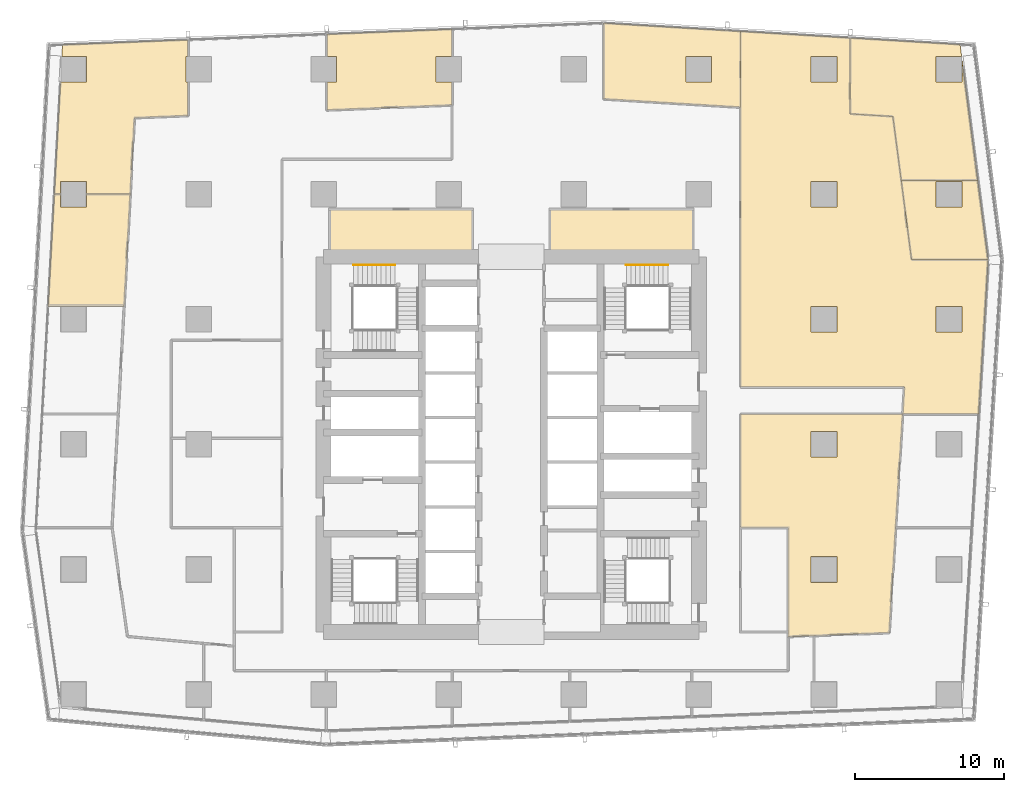
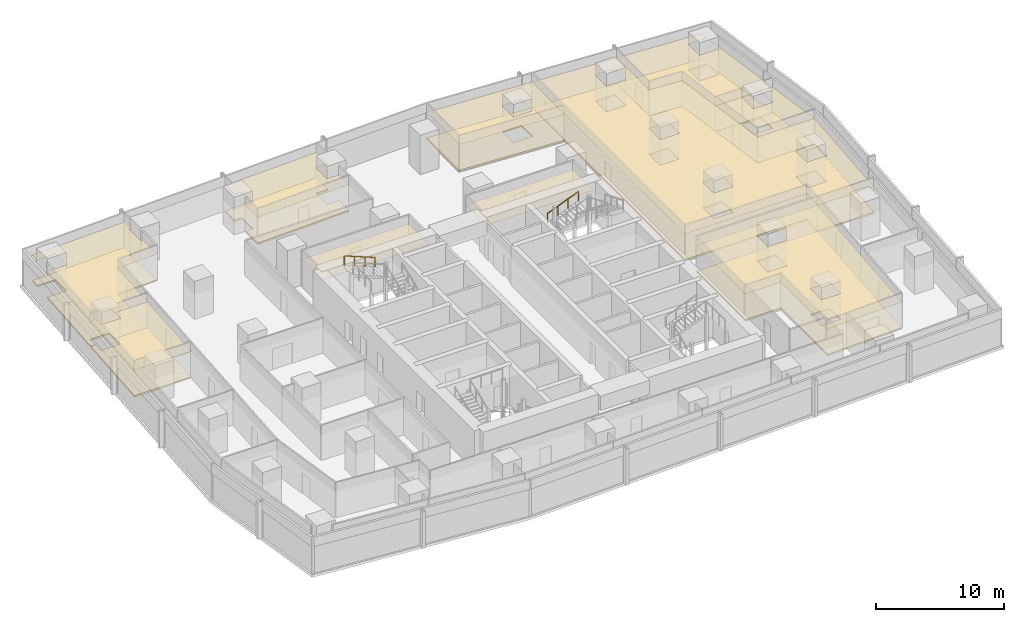
# One storey, part 40 of 40: 16 coverings, 2 railings.
"""IFC4 building model written with IfcOpenShell, lengths in metres."""

import ifcopenshell
import ifcopenshell.guid

model = None  # the IFC model being written
_history = None  # IfcOwnerHistory: only IFC2X3 demands one
_inside = {}  # id of a spatial element -> (the spatial element, [elements in it])
_under = {}  # id of a project, library or spatial element -> (it, [spatial elements below it])
_declared = {}  # id of a project -> (the project, [libraries it declares])
_typed = {}  # id of a type object -> (the type object, [elements of that type])
_made_of = {}  # id of a material, layer set ... -> (it, [elements and type objects made of it])


def new_model(schema):
    """Start an empty IFC model of exactly this schema.

    Asked for "IFC4X3", IfcOpenShell would pick the latest addendum, in which some entities
    have other attributes; the version numbers below select the first issue.
    IFC2X3 requires an IfcOwnerHistory on every rooted entity: one is made here for all.
    """
    global model, _history
    if schema == "IFC4X3":
        model = ifcopenshell.file(schema_version=(4, 3, 0, 0))
    else:
        model = ifcopenshell.file(schema=schema)
    _inside.clear()
    _under.clear()
    _declared.clear()
    _typed.clear()
    _made_of.clear()
    _history = None
    if model.schema == "IFC2X3":
        org = make("IfcOrganization", Name="unknown")
        user = make(
            "IfcPersonAndOrganization",
            ThePerson=make("IfcPerson", FamilyName="unknown"),
            TheOrganization=org,
        )
        app = make(
            "IfcApplication",
            ApplicationDeveloper=org,
            Version="unknown",
            ApplicationFullName="unknown",
            ApplicationIdentifier="unknown",
        )
        _history = make(
            "IfcOwnerHistory",
            OwningUser=user,
            OwningApplication=app,
            ChangeAction="ADDED",
            CreationDate=0,
        )
    return model


def make(cls, **values):
    """One entity of the class cls with the attributes given. An attribute that is None is left unset."""
    return model.create_entity(
        cls, **{name: value for name, value in values.items() if value is not None}
    )


def rooted(cls, **values):
    """An entity with a GlobalId (a new one), such as an element, a storey or a relation."""
    return make(cls, GlobalId=ifcopenshell.guid.new(), OwnerHistory=_history, **values)


def si_unit(unit_type, name, prefix=None):
    """IfcSIUnit, for example si_unit("LENGTHUNIT", "METRE", prefix="MILLI")."""
    return make("IfcSIUnit", UnitType=unit_type, Prefix=prefix, Name=name)


def assignment(units):
    """IfcUnitAssignment: the units of a project."""
    return None if units is None else make("IfcUnitAssignment", Units=units)


def point(xyz):
    """IfcCartesianPoint."""
    return None if xyz is None else make("IfcCartesianPoint", Coordinates=xyz)


def direction(xyz):
    """IfcDirection."""
    return None if xyz is None else make("IfcDirection", DirectionRatios=xyz)


def frame(location, z_axis=None, x_axis=None):
    """IfcAxis2Placement3D, a coordinate frame: its origin and axes. An axis left out is left unset."""
    return make(
        "IfcAxis2Placement3D",
        Location=point(location),
        Axis=direction(z_axis),
        RefDirection=direction(x_axis),
    )


def frame_2d(location, x_axis=None):
    """IfcAxis2Placement2D, a coordinate frame in the plane: its origin and x axis."""
    return make(
        "IfcAxis2Placement2D", Location=point(location), RefDirection=direction(x_axis)
    )


def origin():
    """The frame at (0, 0, 0) with its axes left unset."""
    return frame((0.0, 0.0, 0.0))


def origin_2d():
    """The frame at (0, 0) in the plane with its x axis left unset."""
    return frame_2d((0.0, 0.0))


def place(relative_to, where):
    """IfcLocalPlacement: puts the frame where relative to a parent placement (None: the world)."""
    return make(
        "IfcLocalPlacement", PlacementRelTo=relative_to, RelativePlacement=where
    )


def context(
    kind, dimensions, precision=None, world=None, true_north=None, identifier=None
):
    """IfcGeometricRepresentationContext, for example the 3D "Model" context."""
    return make(
        "IfcGeometricRepresentationContext",
        ContextIdentifier=identifier,
        ContextType=kind,
        CoordinateSpaceDimension=dimensions,
        Precision=precision,
        WorldCoordinateSystem=world,
        TrueNorth=true_north,
    )


def subcontext(parent, identifier, kind, view, scale=None):
    """IfcGeometricRepresentationSubContext, for example "Body" below "Model"."""
    return make(
        "IfcGeometricRepresentationSubContext",
        ContextIdentifier=identifier,
        ContextType=kind,
        ParentContext=parent,
        TargetScale=scale,
        TargetView=view,
    )


def project(units=None, contexts=None):
    """IfcProject with its units and contexts."""
    return rooted(
        "IfcProject",
        Name="project",
        RepresentationContexts=contexts,
        UnitsInContext=assignment(units),
    )


def spatial(cls, under=None, at=None, **own):
    """A site, building, storey or space (cls), placed at a placement, below another one or the project."""
    s = rooted(cls, ObjectPlacement=at, **own)
    if under is not None:
        _under.setdefault(under.id(), (under, []))[1].append(s)
    return s


def polyline(points):
    """IfcPolyline through the points."""
    return make("IfcPolyline", Points=[point(p) for p in points])


def profile(cls, at=None, kind="AREA", **sizes):
    """A parametric profile (cls). Its sizes go by their IFC names, for example OverallWidth=200.0."""
    return make(cls, ProfileType=kind, Position=at, **sizes)


def circle(**sizes):
    """IfcCircleProfileDef."""
    return profile("IfcCircleProfileDef", **sizes)


def outline(outer, holes=None, kind="AREA"):
    """IfcArbitraryClosedProfileDef: a profile drawn as a closed curve; with holes, ...WithVoids."""
    if holes is None:
        return make("IfcArbitraryClosedProfileDef", ProfileType=kind, OuterCurve=outer)
    return make(
        "IfcArbitraryProfileDefWithVoids",
        ProfileType=kind,
        OuterCurve=outer,
        InnerCurves=holes,
    )


def extrude(swept, where, along, depth):
    """IfcExtrudedAreaSolid: the profile swept, set in the frame where, extruded along a direction by depth."""
    return make(
        "IfcExtrudedAreaSolid",
        SweptArea=swept,
        Position=where,
        ExtrudedDirection=direction(along),
        Depth=depth,
    )


def shape(context_of_items, identifier, shape_type, items):
    """IfcShapeRepresentation: the items that make up one representation, for example the "Body"."""
    return make(
        "IfcShapeRepresentation",
        ContextOfItems=context_of_items,
        RepresentationIdentifier=identifier,
        RepresentationType=shape_type,
        Items=items,
    )


def material(Name=None, Category=None):
    """IfcMaterial."""
    return make("IfcMaterial", Name=Name, Category=Category)


def layer(
    of_material, thickness, ventilated=None, Name=None, Category=None, Priority=None
):
    """IfcMaterialLayer: one layer of a wall or slab, of a material (None: an air gap)."""
    return make(
        "IfcMaterialLayer",
        Material=of_material,
        LayerThickness=thickness,
        IsVentilated=ventilated,
        Name=Name,
        Category=Category,
        Priority=Priority,
    )


def layer_set(layers, Name=None):
    """IfcMaterialLayerSet."""
    return make("IfcMaterialLayerSet", MaterialLayers=layers, LayerSetName=Name)


def made_of(thing, what):
    """Note that an element or type object is made of a material, layer set ...; save() writes the relation."""
    if what is not None:
        _made_of.setdefault(what.id(), (what, []))[1].append(thing)
    return thing


def type_object(cls, material=None, **own):
    """A type object (cls), such as IfcWallType, which elements share."""
    return made_of(rooted(cls, **own), material)


def element(
    cls,
    number,
    at=None,
    inside=None,
    cuts=None,
    type_object=None,
    material=None,
    context=None,
    identifier="Body",
    shape_type=None,
    held_by="IfcProductDefinitionShape",
    body=None,
    shapes=None,
    **own,
):
    """One element of the class cls, such as IfcWall. Its Tag is "e" and its number.

    at: its placement. inside: the storey or other place that contains it. cuts: it is an
    opening in that element (IfcRelVoidsElement). A single representation is given by context,
    identifier, shape_type and body (its items); several are given by shapes. held_by: the class
    of the entity that holds the representations. save() writes the other relations.
    """
    e = rooted(cls, Tag="e%d" % number, ObjectPlacement=at, **own)
    if body is not None:
        shapes = [shape(context, identifier, shape_type, body)]
    if shapes is not None:
        e.Representation = make(held_by, Representations=shapes)
    if inside is not None:
        _inside.setdefault(inside.id(), (inside, []))[1].append(e)
    if cuts is not None:
        rooted(
            "IfcRelVoidsElement", RelatingBuildingElement=cuts, RelatedOpeningElement=e
        )
    if type_object is not None:
        _typed.setdefault(type_object.id(), (type_object, []))[1].append(e)
    return made_of(e, material)


def aggregate(whole, parts):
    """IfcRelAggregates: a whole, such as a stair, and the parts it consists of."""
    return rooted("IfcRelAggregates", RelatingObject=whole, RelatedObjects=parts)


def save(model, path):
    """Write the relations noted so far, then the file.

    IfcRelAggregates (storeys below a building ...), IfcRelContainedInSpatialStructure (elements
    in a storey), IfcRelDefinesByType, IfcRelAssociatesMaterial and IfcRelDeclares: one each for
    every whole, place, type object, material and project.
    """
    for whole, parts in _under.values():
        aggregate(whole, parts)
    for where, things in _inside.values():
        rooted(
            "IfcRelContainedInSpatialStructure",
            RelatedElements=things,
            RelatingStructure=where,
        )
    for kind, things in _typed.values():
        rooted("IfcRelDefinesByType", RelatedObjects=things, RelatingType=kind)
    for what, things in _made_of.values():
        rooted("IfcRelAssociatesMaterial", RelatedObjects=things, RelatingMaterial=what)
    for by, libraries in _declared.values():
        rooted("IfcRelDeclares", RelatingContext=by, RelatedDefinitions=libraries)
    model.write(path)


model = new_model("IFC4")

# Units and contexts
model_context = context("Model", 3, precision=1e-05, world=origin(), true_north=direction((0.0, 1.0)))
body_context = subcontext(model_context, "Body", "Model", "MODEL_VIEW")
ifc_project = project(units=[si_unit("LENGTHUNIT", "METRE"), si_unit("AREAUNIT", "SQUARE_METRE"), si_unit("VOLUMEUNIT", "CUBIC_METRE"), si_unit("PLANEANGLEUNIT", "RADIAN"), si_unit("MASSUNIT", "GRAM", prefix="KILO")], contexts=[model_context])

# Site, building, storey
site_placement = place(None, origin())
site = spatial("IfcSite", under=ifc_project, at=site_placement, CompositionType="ELEMENT")
building_placement = place(site_placement, origin())
building = spatial("IfcBuilding", under=site, at=building_placement, Name="Rekha Terrace Tower", CompositionType="ELEMENT")
storey_placement = place(building_placement, frame((0.0, 0.0, 132.800048828125)))
storey = spatial("IfcBuildingStorey", under=building, at=storey_placement, Name="L33", CompositionType="ELEMENT", Elevation=132.800048828125)

# Coverings
ifc_material_1 = material(Name="Mineral fibre tile in exposed grid", Category="finish")
ifc_layer_1 = layer(ifc_material_1, 0.02001953125)
ifc_layer_set_1 = layer_set([ifc_layer_1], Name="Mineral fibre tile in exposed grid")
covering_type_1 = type_object("IfcCoveringType", Name="CL1 600x1200 office grid ceiling", PredefinedType="CEILING", material=ifc_layer_set_1)
covering_1_placement = place(storey_placement, frame((0.0, 0.0, 2.579833984375)))
element("IfcCovering", 1, at=covering_1_placement, inside=storey, type_object=covering_type_1, Name="Ceiling L33-06", PredefinedType="CEILING", context=body_context, shape_type="SweptSolid", body=[
    extrude(outline(polyline([(64.68896484375, 46.00390625), (69.83203125, 46.00390625), (69.136962890625, 51.337890625), (63.993896484375, 51.337890625), (64.68896484375, 46.00390625)]), holes=[polyline([(68.06494140625, 49.534912109375), (66.3349609375, 49.534912109375), (66.3349609375, 51.264892578125), (68.06494140625, 51.264892578125), (68.06494140625, 49.534912109375)])]), origin(), (0.0, 0.0, 1.0), 0.02001953125),
])
covering_2_placement = place(storey_placement, frame((0.0, 0.0, 2.579833984375)))
element("IfcCovering", 2, at=covering_2_placement, inside=storey, type_object=covering_type_1, Name="Ceiling L33-07", PredefinedType="CEILING", context=body_context, shape_type="SweptSolid", body=[
    extrude(outline(polyline([(67.948974609375, 60.462890625), (60.56201171875, 60.906982421875), (60.56201171875, 55.798095703125), (63.43603515625, 55.625), (63.993896484375, 51.339111328125), (69.136962890625, 51.339111328125), (68.0849609375, 59.416015625), (68.06494140625, 59.4150390625), (68.06494140625, 57.93505859375), (66.3349609375, 57.93505859375), (66.3349609375, 59.6650390625), (68.052978515625, 59.6650390625), (67.948974609375, 60.462890625)])), origin(), (0.0, 0.0, 1.0), 0.02001953125),
])
covering_3_placement = place(storey_placement, frame((0.0, 0.0, 2.579833984375)))
element("IfcCovering", 3, at=covering_3_placement, inside=storey, type_object=covering_type_1, Name="Ceiling L33-O1", PredefinedType="CEILING", context=body_context, shape_type="SweptSolid", body=[
    extrude(outline(polyline([(56.39990234375, 20.674072265625), (58.133056640625, 20.741943359375), (63.193115234375, 20.93896484375), (63.625, 27.9970703125), (64.093017578125, 35.633056640625), (69.202880859375, 35.633056640625), (69.8359375, 45.971923828125), (69.83203125, 46.00390625), (64.68896484375, 46.00390625), (63.991943359375, 51.35498046875), (63.43603515625, 55.625), (60.56201171875, 55.798095703125), (60.56201171875, 60.906982421875), (53.200927734375, 61.34912109375), (53.200927734375, 37.43701171875), (64.202880859375, 37.43701171875), (64.093017578125, 35.636962890625), (53.199951171875, 35.636962890625), (53.199951171875, 28.0), (56.39990234375, 28.0), (56.39990234375, 20.674072265625)]), holes=[polyline([(68.06494140625, 41.135009765625), (66.3349609375, 41.135009765625), (66.3349609375, 42.864990234375), (68.06494140625, 42.864990234375), (68.06494140625, 41.135009765625)]), polyline([(59.6650390625, 26.06494140625), (59.6650390625, 24.3349609375), (57.93505859375, 24.3349609375), (57.93505859375, 26.06494140625), (59.6650390625, 26.06494140625)]), polyline([(59.6650390625, 32.735107421875), (57.93505859375, 32.735107421875), (57.93505859375, 34.465087890625), (59.6650390625, 34.465087890625), (59.6650390625, 32.735107421875)]), polyline([(59.6650390625, 41.135009765625), (57.93505859375, 41.135009765625), (57.93505859375, 42.864990234375), (59.6650390625, 42.864990234375), (59.6650390625, 41.135009765625)]), polyline([(59.6650390625, 49.534912109375), (57.93505859375, 49.534912109375), (57.93505859375, 51.264892578125), (59.6650390625, 51.264892578125), (59.6650390625, 49.534912109375)]), polyline([(59.6650390625, 57.93505859375), (57.93505859375, 57.93505859375), (57.93505859375, 59.6650390625), (59.6650390625, 59.6650390625), (59.6650390625, 57.93505859375)])]), origin(), (0.0, 0.0, 1.0), 0.02001953125),
])
covering_4_placement = place(storey_placement, frame((0.0, 0.0, 2.579833984375)))
element("IfcCovering", 4, at=covering_4_placement, inside=storey, type_object=covering_type_1, Name="Ceiling L33-10", PredefinedType="CEILING", context=body_context, shape_type="SweptSolid", body=[
    extrude(outline(polyline([(44.00390625, 56.79296875), (53.196044921875, 56.239990234375), (53.196044921875, 61.35009765625), (44.00390625, 61.902099609375), (44.00390625, 56.79296875)]), holes=[polyline([(51.264892578125, 57.93505859375), (49.534912109375, 57.93505859375), (49.534912109375, 59.6650390625), (51.264892578125, 59.6650390625), (51.264892578125, 57.93505859375)])]), origin(), (0.0, 0.0, 1.0), 0.02001953125),
])
covering_5_placement = place(storey_placement, frame((0.0, 0.0, 2.579833984375)))
element("IfcCovering", 5, at=covering_5_placement, inside=storey, type_object=covering_type_1, Name="Ceiling L33-11", PredefinedType="CEILING", context=body_context, shape_type="SweptSolid", body=[
    extrude(outline(polyline([(25.4140625, 57.93505859375), (25.4140625, 56.050048828125), (33.826904296875, 56.386962890625), (33.826904296875, 57.93505859375), (32.735107421875, 57.93505859375), (32.735107421875, 59.6650390625), (33.826904296875, 59.6650390625), (33.826904296875, 61.490966796875), (25.4140625, 61.154052734375), (25.4140625, 59.6650390625), (26.06494140625, 59.6650390625), (26.06494140625, 57.93505859375), (25.4140625, 57.93505859375)])), origin(), (0.0, 0.0, 1.0), 0.02001953125),
])
covering_6_placement = place(storey_placement, frame((0.0, 0.0, 2.579833984375)))
element("IfcCovering", 6, at=covering_6_placement, inside=storey, type_object=covering_type_1, Name="Ceiling L33-12", PredefinedType="CEILING", context=body_context, shape_type="SweptSolid", body=[
    extrude(outline(polyline([(9.264892578125, 57.93505859375), (7.51611328125, 57.93505859375), (7.10302734375, 50.403076171875), (7.534912109375, 50.403076171875), (7.534912109375, 51.264892578125), (9.264892578125, 51.264892578125), (9.264892578125, 50.403076171875), (12.2099609375, 50.403076171875), (12.490966796875, 55.531982421875), (16.10107421875, 55.676025390625), (16.10107421875, 57.93505859375), (15.93505859375, 57.93505859375), (15.93505859375, 59.6650390625), (16.10107421875, 59.6650390625), (16.10107421875, 60.781005859375), (7.653076171875, 60.44189453125), (7.610107421875, 59.6650390625), (9.264892578125, 59.6650390625), (9.264892578125, 57.93505859375)])), origin(), (0.0, 0.0, 1.0), 0.02001953125),
])
covering_7_placement = place(storey_placement, frame((0.0, 0.0, 2.579833984375)))
element("IfcCovering", 7, at=covering_7_placement, inside=storey, type_object=covering_type_1, Name="Ceiling L33-13", PredefinedType="CEILING", context=body_context, shape_type="SweptSolid", body=[
    extrude(outline(polyline([(6.68994140625, 42.873046875), (11.797119140625, 42.873046875), (12.2099609375, 50.402099609375), (9.264892578125, 50.402099609375), (9.264892578125, 49.534912109375), (7.534912109375, 49.534912109375), (7.534912109375, 50.402099609375), (7.10302734375, 50.402099609375), (6.68994140625, 42.873046875)])), origin(), (0.0, 0.0, 1.0), 0.02001953125),
])
ifc_material_2 = material(Name="Fibre cement board", Category="finish")
ifc_layer_2 = layer(ifc_material_2, 0.014892578125)
ifc_layer_set_2 = layer_set([ifc_layer_2], Name="Fibre cement board")
covering_type_2 = type_object("IfcCoveringType", Name="CL2 moisture-resistant board ceiling", PredefinedType="CEILING", material=ifc_layer_set_2)
covering_8_placement = place(storey_placement, frame((0.0, 0.0, 2.5849609375)))
element("IfcCovering", 8, at=covering_8_placement, inside=storey, type_object=covering_type_2, Name="Ceiling L33-WCF", PredefinedType="CEILING", context=body_context, shape_type="SweptSolid", body=[
    extrude(outline(polyline([(50.0, 49.39990234375), (40.39990234375, 49.39990234375), (40.39990234375, 46.199951171875), (50.0, 46.199951171875), (50.0, 49.39990234375)])), origin(), (0.0, 0.0, 1.0), 0.014892578125),
])
covering_9_placement = place(storey_placement, frame((0.0, 0.0, 2.5849609375)))
element("IfcCovering", 9, at=covering_9_placement, inside=storey, type_object=covering_type_2, Name="Ceiling L33-WCF2", PredefinedType="CEILING", context=body_context, shape_type="SweptSolid", body=[
    extrude(outline(polyline([(35.199951171875, 49.39990234375), (25.60009765625, 49.39990234375), (25.60009765625, 46.199951171875), (35.199951171875, 46.199951171875), (35.199951171875, 49.39990234375)])), origin(), (0.0, 0.0, 1.0), 0.014892578125),
])

# Railings
ifc_material_3 = material(Name="Stainless steel tube", Category="steel")
railing_type = type_object("IfcRailingType", Name="HR1 900 stair handrail", PredefinedType="HANDRAIL", material=ifc_material_3)
railing_1_placement = place(storey_placement, frame((45.52490234375, 45.639892578125, 1.375)))
element("IfcRailing", 10, at=railing_1_placement, inside=storey, type_object=railing_type, Name="Handrail ST2 L33 flight 2", PredefinedType="HANDRAIL", context=body_context, shape_type="SweptSolid", body=[
    extrude(circle(Radius=0.02392578125, at=origin_2d()), frame((0.0, 0.0, 0.8759765625), z_axis=(0.927443287984, 0.0, 0.373963831907), x_axis=(0.0, 1.0, 0.0)), (0.0, 0.0, 1.0), 3.00830078125),
    extrude(circle(Radius=0.02099609375, at=origin_2d()), origin(), (0.0, 0.0, 1.0), 0.851806640625),
    extrude(circle(Radius=0.02099609375, at=origin_2d()), frame((0.929931640625, 0.0, 0.375)), (0.0, 0.0, 1.0), 0.851806640625),
    extrude(circle(Radius=0.02099609375, at=origin_2d()), frame((1.860107421875, 0.0, 0.75)), (0.0, 0.0, 1.0), 0.851806640625),
    extrude(circle(Radius=0.02099609375, at=origin_2d()), frame((2.7900390625, 0.0, 1.125)), (0.0, 0.0, 1.0), 0.851806640625),
])
railing_2_placement = place(storey_placement, frame((29.989990234375, 45.639892578125, 2.625)))
element("IfcRailing", 11, at=railing_2_placement, inside=storey, type_object=railing_type, Name="Handrail ST4 L33 flight 3", PredefinedType="HANDRAIL", context=body_context, shape_type="SweptSolid", body=[
    extrude(circle(Radius=0.02392578125, at=origin_2d()), frame((0.0, 0.0, 0.8759765625), z_axis=(-0.927443287984, 0.0, 0.373963831907), x_axis=(0.0, -1.0, 0.0)), (0.0, 0.0, 1.0), 3.00830078125),
    extrude(circle(Radius=0.02099609375, at=origin_2d()), origin(), (0.0, 0.0, 1.0), 0.851806640625),
    extrude(circle(Radius=0.02099609375, at=origin_2d()), frame((-0.929931640625, 0.0, 0.375)), (0.0, 0.0, 1.0), 0.851806640625),
    extrude(circle(Radius=0.02099609375, at=origin_2d()), frame((-1.860107421875, 0.0, 0.75)), (0.0, 0.0, 1.0), 0.851806640625),
    extrude(circle(Radius=0.02099609375, at=origin_2d()), frame((-2.7900390625, 0.0, 1.125)), (0.0, 0.0, 1.0), 0.851806640625),
])

# Coverings
ifc_material_4 = material(Name="Calcium sulphate panels on steel pedestals", Category="steel")
ifc_layer_3 = layer(ifc_material_4, 0.14990234375)
ifc_layer_set_3 = layer_set([ifc_layer_3], Name="Calcium sulphate panels on steel pedestals")
covering_type_3 = type_object("IfcCoveringType", Name="RF1 150 raised access floor", PredefinedType="FLOORING", material=ifc_layer_set_3)
covering_10_placement = place(storey_placement, origin())
element("IfcCovering", 12, at=covering_10_placement, inside=storey, type_object=covering_type_3, Name="Raised floor L33-06", PredefinedType="FLOORING", context=body_context, shape_type="SweptSolid", body=[
    extrude(outline(polyline([(64.68896484375, 46.00390625), (69.83203125, 46.00390625), (69.136962890625, 51.337890625), (63.993896484375, 51.337890625), (64.68896484375, 46.00390625)]), holes=[polyline([(68.06494140625, 49.534912109375), (66.3349609375, 49.534912109375), (66.3349609375, 51.264892578125), (68.06494140625, 51.264892578125), (68.06494140625, 49.534912109375)])]), origin(), (0.0, 0.0, 1.0), 0.14990234375),
])
covering_11_placement = place(storey_placement, origin())
element("IfcCovering", 13, at=covering_11_placement, inside=storey, type_object=covering_type_3, Name="Raised floor L33-07", PredefinedType="FLOORING", context=body_context, shape_type="SweptSolid", body=[
    extrude(outline(polyline([(67.948974609375, 60.462890625), (60.56201171875, 60.906982421875), (60.56201171875, 55.798095703125), (63.43603515625, 55.625), (63.993896484375, 51.339111328125), (69.136962890625, 51.339111328125), (68.0849609375, 59.416015625), (68.06494140625, 59.4150390625), (68.06494140625, 57.93505859375), (66.3349609375, 57.93505859375), (66.3349609375, 59.6650390625), (68.052978515625, 59.6650390625), (67.948974609375, 60.462890625)])), origin(), (0.0, 0.0, 1.0), 0.14990234375),
])
covering_12_placement = place(storey_placement, origin())
element("IfcCovering", 14, at=covering_12_placement, inside=storey, type_object=covering_type_3, Name="Raised floor L33-O1", PredefinedType="FLOORING", context=body_context, shape_type="SweptSolid", body=[
    extrude(outline(polyline([(56.39990234375, 20.674072265625), (58.133056640625, 20.741943359375), (63.193115234375, 20.93896484375), (63.625, 27.9970703125), (64.093017578125, 35.633056640625), (69.202880859375, 35.633056640625), (69.8359375, 45.971923828125), (69.83203125, 46.00390625), (64.68896484375, 46.00390625), (63.991943359375, 51.35498046875), (63.43603515625, 55.625), (60.56201171875, 55.798095703125), (60.56201171875, 60.906982421875), (53.200927734375, 61.34912109375), (53.200927734375, 37.43701171875), (64.202880859375, 37.43701171875), (64.093017578125, 35.636962890625), (53.199951171875, 35.636962890625), (53.199951171875, 28.0), (56.39990234375, 28.0), (56.39990234375, 20.674072265625)]), holes=[polyline([(68.06494140625, 41.135009765625), (66.3349609375, 41.135009765625), (66.3349609375, 42.864990234375), (68.06494140625, 42.864990234375), (68.06494140625, 41.135009765625)]), polyline([(59.6650390625, 26.06494140625), (59.6650390625, 24.3349609375), (57.93505859375, 24.3349609375), (57.93505859375, 26.06494140625), (59.6650390625, 26.06494140625)]), polyline([(59.6650390625, 32.735107421875), (57.93505859375, 32.735107421875), (57.93505859375, 34.465087890625), (59.6650390625, 34.465087890625), (59.6650390625, 32.735107421875)]), polyline([(59.6650390625, 41.135009765625), (57.93505859375, 41.135009765625), (57.93505859375, 42.864990234375), (59.6650390625, 42.864990234375), (59.6650390625, 41.135009765625)]), polyline([(59.6650390625, 49.534912109375), (57.93505859375, 49.534912109375), (57.93505859375, 51.264892578125), (59.6650390625, 51.264892578125), (59.6650390625, 49.534912109375)]), polyline([(59.6650390625, 57.93505859375), (57.93505859375, 57.93505859375), (57.93505859375, 59.6650390625), (59.6650390625, 59.6650390625), (59.6650390625, 57.93505859375)])]), origin(), (0.0, 0.0, 1.0), 0.14990234375),
])
covering_13_placement = place(storey_placement, origin())
element("IfcCovering", 15, at=covering_13_placement, inside=storey, type_object=covering_type_3, Name="Raised floor L33-10", PredefinedType="FLOORING", context=body_context, shape_type="SweptSolid", body=[
    extrude(outline(polyline([(44.00390625, 56.79296875), (53.196044921875, 56.239990234375), (53.196044921875, 61.35009765625), (44.00390625, 61.902099609375), (44.00390625, 56.79296875)]), holes=[polyline([(51.264892578125, 57.93505859375), (49.534912109375, 57.93505859375), (49.534912109375, 59.6650390625), (51.264892578125, 59.6650390625), (51.264892578125, 57.93505859375)])]), origin(), (0.0, 0.0, 1.0), 0.14990234375),
])
covering_14_placement = place(storey_placement, origin())
element("IfcCovering", 16, at=covering_14_placement, inside=storey, type_object=covering_type_3, Name="Raised floor L33-11", PredefinedType="FLOORING", context=body_context, shape_type="SweptSolid", body=[
    extrude(outline(polyline([(25.4140625, 57.93505859375), (25.4140625, 56.050048828125), (33.826904296875, 56.386962890625), (33.826904296875, 57.93505859375), (32.735107421875, 57.93505859375), (32.735107421875, 59.6650390625), (33.826904296875, 59.6650390625), (33.826904296875, 61.490966796875), (25.4140625, 61.154052734375), (25.4140625, 59.6650390625), (26.06494140625, 59.6650390625), (26.06494140625, 57.93505859375), (25.4140625, 57.93505859375)])), origin(), (0.0, 0.0, 1.0), 0.14990234375),
])
covering_15_placement = place(storey_placement, origin())
element("IfcCovering", 17, at=covering_15_placement, inside=storey, type_object=covering_type_3, Name="Raised floor L33-12", PredefinedType="FLOORING", context=body_context, shape_type="SweptSolid", body=[
    extrude(outline(polyline([(9.264892578125, 57.93505859375), (7.51611328125, 57.93505859375), (7.10302734375, 50.403076171875), (7.534912109375, 50.403076171875), (7.534912109375, 51.264892578125), (9.264892578125, 51.264892578125), (9.264892578125, 50.403076171875), (12.2099609375, 50.403076171875), (12.490966796875, 55.531982421875), (16.10107421875, 55.676025390625), (16.10107421875, 57.93505859375), (15.93505859375, 57.93505859375), (15.93505859375, 59.6650390625), (16.10107421875, 59.6650390625), (16.10107421875, 60.781005859375), (7.653076171875, 60.44189453125), (7.610107421875, 59.6650390625), (9.264892578125, 59.6650390625), (9.264892578125, 57.93505859375)])), origin(), (0.0, 0.0, 1.0), 0.14990234375),
])
covering_16_placement = place(storey_placement, origin())
element("IfcCovering", 18, at=covering_16_placement, inside=storey, type_object=covering_type_3, Name="Raised floor L33-13", PredefinedType="FLOORING", context=body_context, shape_type="SweptSolid", body=[
    extrude(outline(polyline([(6.68994140625, 42.873046875), (11.797119140625, 42.873046875), (12.2099609375, 50.402099609375), (9.264892578125, 50.402099609375), (9.264892578125, 49.534912109375), (7.534912109375, 49.534912109375), (7.534912109375, 50.402099609375), (7.10302734375, 50.402099609375), (6.68994140625, 42.873046875)])), origin(), (0.0, 0.0, 1.0), 0.14990234375),
])

save(model, "model.ifc")
